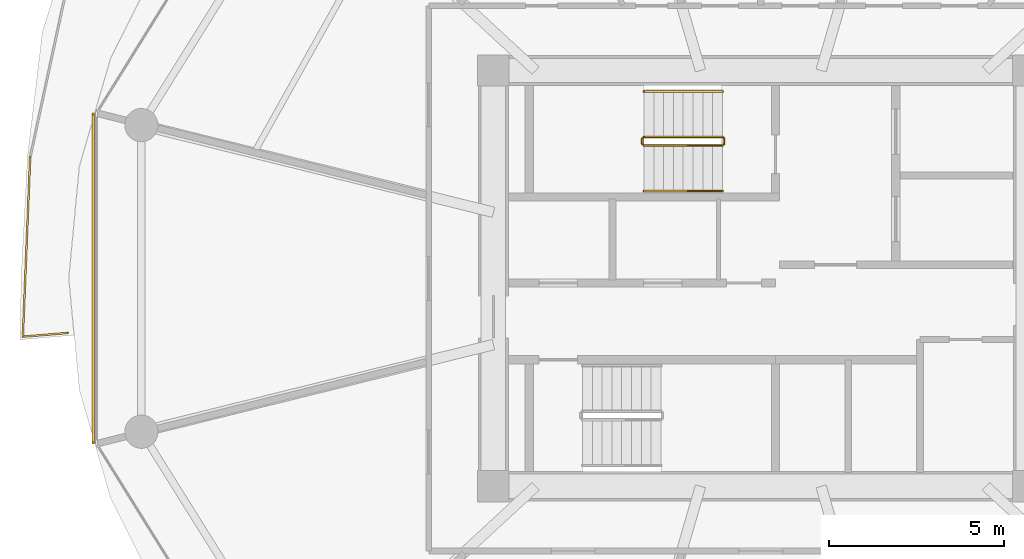
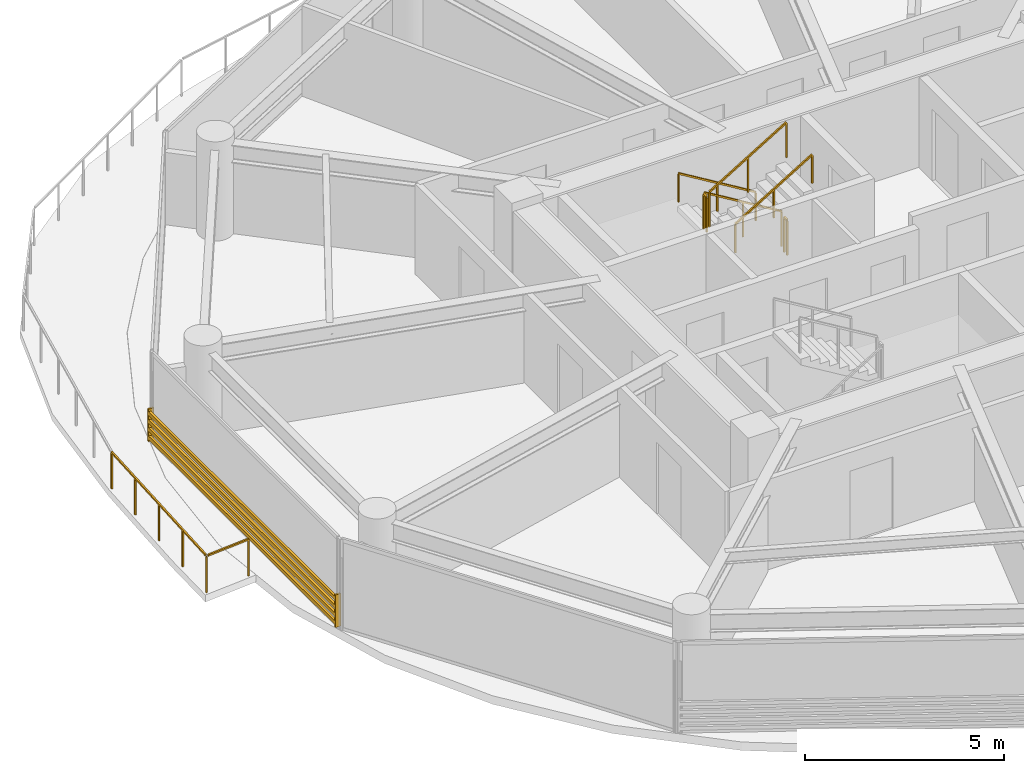
# One storey, part 22 of 25: 7 railings, 1 shading device.
"""IFC4 building model written with IfcOpenShell, lengths in metres."""

from ifc_helpers import new_model, si_unit, direction, frame, origin, origin_2d, place, context, subcontext, project, spatial, rectangle, extrude, source, transform, mapped, material, type_object, type_shapes, element, save


model = new_model("IFC4")

# Units and contexts
model_context = context("Model", 3, precision=1e-05, world=origin(), true_north=direction((0.0, 1.0)))
body_context = subcontext(model_context, "Body", "Model", "MODEL_VIEW")
ifc_project = project(units=[si_unit("LENGTHUNIT", "METRE"), si_unit("AREAUNIT", "SQUARE_METRE"), si_unit("VOLUMEUNIT", "CUBIC_METRE"), si_unit("PLANEANGLEUNIT", "RADIAN"), si_unit("MASSUNIT", "GRAM", prefix="KILO")], contexts=[model_context])

# Site, building, storey
site_placement = place(None, origin())
site = spatial("IfcSite", under=ifc_project, at=site_placement, CompositionType="ELEMENT")
building_placement = place(site_placement, origin())
building = spatial("IfcBuilding", under=site, at=building_placement, Name="Norrkilde Senior Care Towers", CompositionType="ELEMENT")
storey_placement = place(building_placement, frame((0.0, 0.0, 27.699951171875)))
storey = spatial("IfcBuildingStorey", under=building, at=storey_placement, Name="L07", CompositionType="ELEMENT", Elevation=27.699951171875)

# Railings
ifc_material_1 = material(Name="Anodised Aluminium", Category="aluminium")
railing_type_1 = type_object("IfcRailingType", Name="Balcony Swirl Ribbon Guardrail 1150", PredefinedType="GUARDRAIL", material=ifc_material_1)
railing_1_placement = place(storey_placement, frame((-47.833740234375, -1.560791015625, 0.0)))
element("IfcRailing", 1, at=railing_1_placement, inside=storey, type_object=railing_type_1, Name="L07 Perimeter Safety Guard 04", PredefinedType="GUARDRAIL", context=body_context, shape_type="SweptSolid", body=[
    extrude(rectangle(XDim=0.048095703125, YDim=0.048095703125, at=origin_2d()), frame((0.0, 0.0, 1.1259765625), z_axis=(-0.996590092516, -0.082511741577, 0.0), x_axis=(0.082511741577, -0.996590092516, 0.0)), (0.0, 0.0, 1.0), 1.246337890625),
    extrude(rectangle(XDim=0.048095703125, YDim=0.048095703125, at=origin_2d()), frame((-1.281005859375, -0.0654296875, 1.1259765625), z_axis=(0.040690469137, 0.999171799903, 0.0), x_axis=(-0.999171799903, 0.040690469137, 0.0)), (0.0, 0.0, 1.0), 5.10107421875),
    extrude(rectangle(XDim=0.0419921875, YDim=0.0419921875, at=origin_2d()), origin(), (0.0, 0.0, 1.0), 1.099853515625),
    extrude(rectangle(XDim=0.0419921875, YDim=0.0419921875, at=origin_2d()), frame((-1.28271484375, -0.106201171875, 0.0)), (0.0, 0.0, 1.0), 1.099853515625),
    extrude(rectangle(XDim=0.0419921875, YDim=0.0419921875, at=origin_2d()), frame((-1.23046875, 1.17822265625, 0.0)), (0.0, 0.0, 1.0), 1.099853515625),
    extrude(rectangle(XDim=0.0419921875, YDim=0.0419921875, at=origin_2d()), frame((-1.17822265625, 2.462646484375, 0.0)), (0.0, 0.0, 1.0), 1.099853515625),
    extrude(rectangle(XDim=0.0419921875, YDim=0.0419921875, at=origin_2d()), frame((-1.125732421875, 3.7470703125, 0.0)), (0.0, 0.0, 1.0), 1.099853515625),
    extrude(rectangle(XDim=0.0419921875, YDim=0.0419921875, at=origin_2d()), frame((-1.073486328125, 5.031494140625, 0.0)), (0.0, 0.0, 1.0), 1.099853515625),
])
ifc_material_2 = material(Name="Stainless Steel", Category="steel")
railing_type_2 = type_object("IfcRailingType", Name="Stair and Terrace Guardrail 1100", PredefinedType="GUARDRAIL", material=ifc_material_2)
railing_2_placement = place(storey_placement, frame((-29.10009765625, 4.050048828125, 0.16943359375)))
element("IfcRailing", 2, at=railing_2_placement, inside=storey, type_object=railing_type_2, Name="L07 ST-W1 stair guard 1", PredefinedType="GUARDRAIL", context=body_context, shape_type="SweptSolid", body=[
    extrude(rectangle(XDim=0.048095703125, YDim=0.048095703125, at=origin_2d()), frame((0.0, 0.0, 1.076171875), z_axis=(-0.855512035549, 0.0, 0.517782924622), x_axis=(0.0, -1.0, 0.0)), (0.0, 0.0, 1.0), 2.618408203125),
    extrude(rectangle(XDim=0.0419921875, YDim=0.0419921875, at=origin_2d()), origin(), (0.0, 0.0, 1.0), 1.050048828125),
    extrude(rectangle(XDim=0.0419921875, YDim=0.0419921875, at=origin_2d()), frame((-1.1201171875, 0.0, 0.677734375)), (0.0, 0.0, 1.0), 1.050048828125),
    extrude(rectangle(XDim=0.0419921875, YDim=0.0419921875, at=origin_2d()), frame((-2.239990234375, 0.0, 1.355712890625)), (0.0, 0.0, 1.0), 1.050048828125),
])
railing_3_placement = place(storey_placement, frame((-31.389892578125, 4.0, 1.525146484375)))
element("IfcRailing", 3, at=railing_3_placement, inside=storey, type_object=railing_type_2, Name="L07 ST-W1 stair guard 2", PredefinedType="GUARDRAIL", context=body_context, shape_type="SweptSolid", body=[
    extrude(rectangle(XDim=0.048095703125, YDim=0.048095703125, at=origin_2d()), frame((0.0, 0.0, 1.076171875), z_axis=(0.0, -1.0, 0.0), x_axis=(1.0, 0.0, 0.0)), (0.0, 0.0, 1.0), 0.14990234375),
    extrude(rectangle(XDim=0.0419921875, YDim=0.0419921875, at=origin_2d()), origin(), (0.0, 0.0, 1.0), 1.050048828125),
    extrude(rectangle(XDim=0.0419921875, YDim=0.0419921875, at=origin_2d()), frame((0.0, -0.14990234375, 0.0)), (0.0, 0.0, 1.0), 1.050048828125),
])
railing_4_placement = place(storey_placement, frame((-31.340087890625, 3.800048828125, 1.694580078125)))
element("IfcRailing", 4, at=railing_4_placement, inside=storey, type_object=railing_type_2, Name="L07 ST-W1 stair guard 3", PredefinedType="GUARDRAIL", context=body_context, shape_type="SweptSolid", body=[
    extrude(rectangle(XDim=0.048095703125, YDim=0.048095703125, at=origin_2d()), frame((0.0, 0.0, 1.076171875), z_axis=(0.855553338991, 0.0, 0.51771467445), x_axis=(0.0, 1.0, 0.0)), (0.0, 0.0, 1.0), 2.6181640625),
    extrude(rectangle(XDim=0.0419921875, YDim=0.0419921875, at=origin_2d()), origin(), (0.0, 0.0, 1.0), 1.050048828125),
    extrude(rectangle(XDim=0.0419921875, YDim=0.0419921875, at=origin_2d()), frame((1.1201171875, 0.0, 0.677734375)), (0.0, 0.0, 1.0), 1.050048828125),
    extrude(rectangle(XDim=0.0419921875, YDim=0.0419921875, at=origin_2d()), frame((2.239990234375, 0.0, 1.35546875)), (0.0, 0.0, 1.0), 1.050048828125),
])
railing_5_placement = place(storey_placement, frame((-29.050048828125, 4.0, 0.0)))
element("IfcRailing", 5, at=railing_5_placement, inside=storey, type_object=railing_type_2, Name="L07 ST-W1 stair guard 4", PredefinedType="GUARDRAIL", context=body_context, shape_type="SweptSolid", body=[
    extrude(rectangle(XDim=0.048095703125, YDim=0.048095703125, at=origin_2d()), frame((0.0, 0.0, 1.076171875), z_axis=(0.0, -1.0, 0.0), x_axis=(1.0, 0.0, 0.0)), (0.0, 0.0, 1.0), 0.14990234375),
    extrude(rectangle(XDim=0.0419921875, YDim=0.0419921875, at=origin_2d()), origin(), (0.0, 0.0, 1.0), 1.050048828125),
    extrude(rectangle(XDim=0.0419921875, YDim=0.0419921875, at=origin_2d()), frame((0.0, -0.14990234375, 0.0)), (0.0, 0.0, 1.0), 1.050048828125),
])
ifc_material_3 = material(Name="Nordic Ash Timber", Category="wood")
railing_type_3 = type_object("IfcRailingType", Name="Wall and Stair Handrail 900", PredefinedType="HANDRAIL", material=ifc_material_3)
railing_6_placement = place(storey_placement, frame((-29.10009765625, 5.35009765625, 0.16943359375)))
element("IfcRailing", 6, at=railing_6_placement, inside=storey, type_object=railing_type_3, Name="L07 ST-W1 stair handrail 1", PredefinedType="HANDRAIL", context=body_context, shape_type="SweptSolid", body=[
    extrude(rectangle(XDim=0.048095703125, YDim=0.048095703125, at=origin_2d()), frame((0.0, 0.0, 0.8759765625), z_axis=(-0.855512035549, 0.0, 0.517782924622), x_axis=(0.0, -1.0, 0.0)), (0.0, 0.0, 1.0), 2.618408203125),
    extrude(rectangle(XDim=0.0419921875, YDim=0.0419921875, at=origin_2d()), origin(), (0.0, 0.0, 1.0), 0.849853515625),
    extrude(rectangle(XDim=0.0419921875, YDim=0.0419921875, at=origin_2d()), frame((-1.1201171875, 0.0, 0.677734375)), (0.0, 0.0, 1.0), 0.849853515625),
    extrude(rectangle(XDim=0.0419921875, YDim=0.0419921875, at=origin_2d()), frame((-2.239990234375, 0.0, 1.355712890625)), (0.0, 0.0, 1.0), 0.849853515625),
])
railing_7_placement = place(storey_placement, frame((-31.340087890625, 2.5, 1.694580078125)))
element("IfcRailing", 7, at=railing_7_placement, inside=storey, type_object=railing_type_3, Name="L07 ST-W1 stair handrail 2", PredefinedType="HANDRAIL", context=body_context, shape_type="SweptSolid", body=[
    extrude(rectangle(XDim=0.048095703125, YDim=0.048095703125, at=origin_2d()), frame((0.0, 0.0, 0.8759765625), z_axis=(0.855553338991, 0.0, 0.51771467445), x_axis=(0.0, 1.0, 0.0)), (0.0, 0.0, 1.0), 2.6181640625),
    extrude(rectangle(XDim=0.0419921875, YDim=0.0419921875, at=origin_2d()), origin(), (0.0, 0.0, 1.0), 0.849853515625),
    extrude(rectangle(XDim=0.0419921875, YDim=0.0419921875, at=origin_2d()), frame((1.1201171875, 0.0, 0.677734375)), (0.0, 0.0, 1.0), 0.849853515625),
    extrude(rectangle(XDim=0.0419921875, YDim=0.0419921875, at=origin_2d()), frame((2.239990234375, 0.0, 1.35546875)), (0.0, 0.0, 1.0), 0.849853515625),
])

# Shading device
ifc_material_4 = material(Name="Architectural Terracotta", Category="masonry")
shading_device_type = type_object("IfcShadingDeviceType", Name="Horizontal Terracotta Baguette Rack", PredefinedType="USERDEFINED", material=ifc_material_4)
shared_shape = source(origin(), body_context, "Body", "SweptSolid", [
    extrude(rectangle(XDim=0.070068359375, YDim=0.110107421875, at=origin_2d()), frame((0.0, 0.090087890625, 0.125), z_axis=(1.0, 0.0, 0.0), x_axis=(0.0, 1.0, 0.0)), (0.0, 0.0, 1.0), 9.46240234375),
    extrude(rectangle(XDim=0.070068359375, YDim=0.110107421875, at=origin_2d()), frame((0.0, 0.090087890625, 0.375), z_axis=(1.0, 0.0, 0.0), x_axis=(0.0, 1.0, 0.0)), (0.0, 0.0, 1.0), 9.46240234375),
    extrude(rectangle(XDim=0.070068359375, YDim=0.110107421875, at=origin_2d()), frame((0.0, 0.090087890625, 0.625), z_axis=(1.0, 0.0, 0.0), x_axis=(0.0, 1.0, 0.0)), (0.0, 0.0, 1.0), 9.46240234375),
    extrude(rectangle(XDim=0.070068359375, YDim=0.110107421875, at=origin_2d()), frame((0.0, 0.090087890625, 0.875), z_axis=(1.0, 0.0, 0.0), x_axis=(0.0, 1.0, 0.0)), (0.0, 0.0, 1.0), 9.46240234375),
    extrude(rectangle(XDim=0.050048828125, YDim=0.1552734375, at=origin_2d()), frame((0.02490234375, 0.047607421875, 0.0)), (0.0, 0.0, 1.0), 1.0),
    extrude(rectangle(XDim=0.050048828125, YDim=0.1552734375, at=origin_2d()), frame((9.4375, 0.047607421875, 0.0)), (0.0, 0.0, 1.0), 1.0),
])
type_shapes(shading_device_type, [shared_shape])
shading_device_placement = place(storey_placement, frame((-47.009521484375, -4.731201171875, 0.080078125), z_axis=(0.0, 0.0, 1.0), x_axis=(0.0, 1.0, 0.0)))
element("IfcShadingDevice", 8, at=shading_device_placement, inside=storey, type_object=shading_device_type, Name="L07 Drum W Terracotta Baguette Screen 05", ObjectType="BAGUETTE", PredefinedType="USERDEFINED", context=body_context, shape_type="MappedRepresentation", body=[
    mapped(shared_shape, transform((0.0, 0.0, 0.0), x_axis=(1.0, 0.0, 0.0), y_axis=(0.0, 1.0, 0.0), z_axis=(0.0, 0.0, 1.0), scale=1.0)),
])

save(model, "model.ifc")
